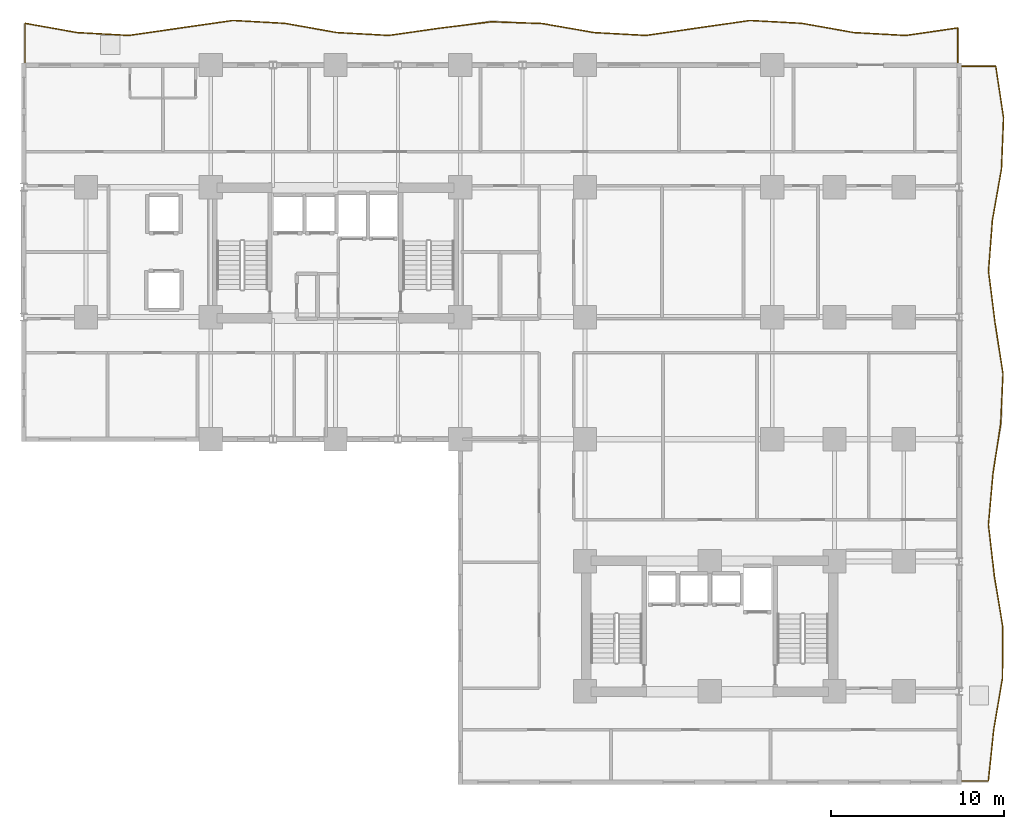
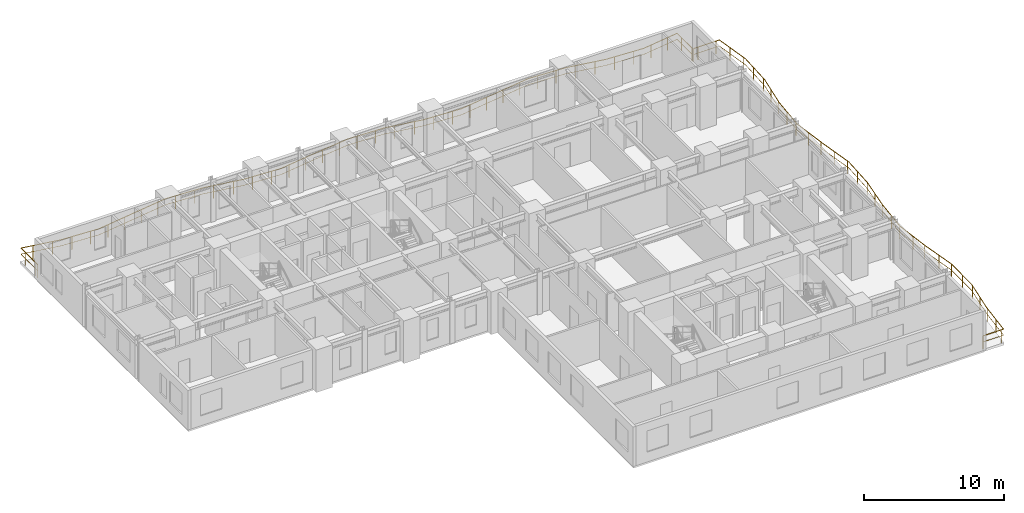
# One storey, part 11 of 11: 2 railings.
"""IFC4 building model written with IfcOpenShell, lengths in metres."""

import ifcopenshell
import ifcopenshell.guid

model = None  # the IFC model being written
_history = None  # IfcOwnerHistory: only IFC2X3 demands one
_inside = {}  # id of a spatial element -> (the spatial element, [elements in it])
_under = {}  # id of a project, library or spatial element -> (it, [spatial elements below it])
_declared = {}  # id of a project -> (the project, [libraries it declares])
_typed = {}  # id of a type object -> (the type object, [elements of that type])
_made_of = {}  # id of a material, layer set ... -> (it, [elements and type objects made of it])


def new_model(schema):
    """Start an empty IFC model of exactly this schema.

    Asked for "IFC4X3", IfcOpenShell would pick the latest addendum, in which some entities
    have other attributes; the version numbers below select the first issue.
    IFC2X3 requires an IfcOwnerHistory on every rooted entity: one is made here for all.
    """
    global model, _history
    if schema == "IFC4X3":
        model = ifcopenshell.file(schema_version=(4, 3, 0, 0))
    else:
        model = ifcopenshell.file(schema=schema)
    _inside.clear()
    _under.clear()
    _declared.clear()
    _typed.clear()
    _made_of.clear()
    _history = None
    if model.schema == "IFC2X3":
        org = make("IfcOrganization", Name="unknown")
        user = make(
            "IfcPersonAndOrganization",
            ThePerson=make("IfcPerson", FamilyName="unknown"),
            TheOrganization=org,
        )
        app = make(
            "IfcApplication",
            ApplicationDeveloper=org,
            Version="unknown",
            ApplicationFullName="unknown",
            ApplicationIdentifier="unknown",
        )
        _history = make(
            "IfcOwnerHistory",
            OwningUser=user,
            OwningApplication=app,
            ChangeAction="ADDED",
            CreationDate=0,
        )
    return model


def make(cls, **values):
    """One entity of the class cls with the attributes given. An attribute that is None is left unset."""
    return model.create_entity(
        cls, **{name: value for name, value in values.items() if value is not None}
    )


def rooted(cls, **values):
    """An entity with a GlobalId (a new one), such as an element, a storey or a relation."""
    return make(cls, GlobalId=ifcopenshell.guid.new(), OwnerHistory=_history, **values)


def si_unit(unit_type, name, prefix=None):
    """IfcSIUnit, for example si_unit("LENGTHUNIT", "METRE", prefix="MILLI")."""
    return make("IfcSIUnit", UnitType=unit_type, Prefix=prefix, Name=name)


def assignment(units):
    """IfcUnitAssignment: the units of a project."""
    return None if units is None else make("IfcUnitAssignment", Units=units)


def point(xyz):
    """IfcCartesianPoint."""
    return None if xyz is None else make("IfcCartesianPoint", Coordinates=xyz)


def direction(xyz):
    """IfcDirection."""
    return None if xyz is None else make("IfcDirection", DirectionRatios=xyz)


def frame(location, z_axis=None, x_axis=None):
    """IfcAxis2Placement3D, a coordinate frame: its origin and axes. An axis left out is left unset."""
    return make(
        "IfcAxis2Placement3D",
        Location=point(location),
        Axis=direction(z_axis),
        RefDirection=direction(x_axis),
    )


def frame_2d(location, x_axis=None):
    """IfcAxis2Placement2D, a coordinate frame in the plane: its origin and x axis."""
    return make(
        "IfcAxis2Placement2D", Location=point(location), RefDirection=direction(x_axis)
    )


def origin():
    """The frame at (0, 0, 0) with its axes left unset."""
    return frame((0.0, 0.0, 0.0))


def origin_2d():
    """The frame at (0, 0) in the plane with its x axis left unset."""
    return frame_2d((0.0, 0.0))


def place(relative_to, where):
    """IfcLocalPlacement: puts the frame where relative to a parent placement (None: the world)."""
    return make(
        "IfcLocalPlacement", PlacementRelTo=relative_to, RelativePlacement=where
    )


def context(
    kind, dimensions, precision=None, world=None, true_north=None, identifier=None
):
    """IfcGeometricRepresentationContext, for example the 3D "Model" context."""
    return make(
        "IfcGeometricRepresentationContext",
        ContextIdentifier=identifier,
        ContextType=kind,
        CoordinateSpaceDimension=dimensions,
        Precision=precision,
        WorldCoordinateSystem=world,
        TrueNorth=true_north,
    )


def subcontext(parent, identifier, kind, view, scale=None):
    """IfcGeometricRepresentationSubContext, for example "Body" below "Model"."""
    return make(
        "IfcGeometricRepresentationSubContext",
        ContextIdentifier=identifier,
        ContextType=kind,
        ParentContext=parent,
        TargetScale=scale,
        TargetView=view,
    )


def project(units=None, contexts=None):
    """IfcProject with its units and contexts."""
    return rooted(
        "IfcProject",
        Name="project",
        RepresentationContexts=contexts,
        UnitsInContext=assignment(units),
    )


def spatial(cls, under=None, at=None, **own):
    """A site, building, storey or space (cls), placed at a placement, below another one or the project."""
    s = rooted(cls, ObjectPlacement=at, **own)
    if under is not None:
        _under.setdefault(under.id(), (under, []))[1].append(s)
    return s


def profile(cls, at=None, kind="AREA", **sizes):
    """A parametric profile (cls). Its sizes go by their IFC names, for example OverallWidth=200.0."""
    return make(cls, ProfileType=kind, Position=at, **sizes)


def rectangle(**sizes):
    """IfcRectangleProfileDef."""
    return profile("IfcRectangleProfileDef", **sizes)


def extrude(swept, where, along, depth):
    """IfcExtrudedAreaSolid: the profile swept, set in the frame where, extruded along a direction by depth."""
    return make(
        "IfcExtrudedAreaSolid",
        SweptArea=swept,
        Position=where,
        ExtrudedDirection=direction(along),
        Depth=depth,
    )


def shape(context_of_items, identifier, shape_type, items):
    """IfcShapeRepresentation: the items that make up one representation, for example the "Body"."""
    return make(
        "IfcShapeRepresentation",
        ContextOfItems=context_of_items,
        RepresentationIdentifier=identifier,
        RepresentationType=shape_type,
        Items=items,
    )


def material(Name=None, Category=None):
    """IfcMaterial."""
    return make("IfcMaterial", Name=Name, Category=Category)


def made_of(thing, what):
    """Note that an element or type object is made of a material, layer set ...; save() writes the relation."""
    if what is not None:
        _made_of.setdefault(what.id(), (what, []))[1].append(thing)
    return thing


def type_object(cls, material=None, **own):
    """A type object (cls), such as IfcWallType, which elements share."""
    return made_of(rooted(cls, **own), material)


def element(
    cls,
    number,
    at=None,
    inside=None,
    cuts=None,
    type_object=None,
    material=None,
    context=None,
    identifier="Body",
    shape_type=None,
    held_by="IfcProductDefinitionShape",
    body=None,
    shapes=None,
    **own,
):
    """One element of the class cls, such as IfcWall. Its Tag is "e" and its number.

    at: its placement. inside: the storey or other place that contains it. cuts: it is an
    opening in that element (IfcRelVoidsElement). A single representation is given by context,
    identifier, shape_type and body (its items); several are given by shapes. held_by: the class
    of the entity that holds the representations. save() writes the other relations.
    """
    e = rooted(cls, Tag="e%d" % number, ObjectPlacement=at, **own)
    if body is not None:
        shapes = [shape(context, identifier, shape_type, body)]
    if shapes is not None:
        e.Representation = make(held_by, Representations=shapes)
    if inside is not None:
        _inside.setdefault(inside.id(), (inside, []))[1].append(e)
    if cuts is not None:
        rooted(
            "IfcRelVoidsElement", RelatingBuildingElement=cuts, RelatedOpeningElement=e
        )
    if type_object is not None:
        _typed.setdefault(type_object.id(), (type_object, []))[1].append(e)
    return made_of(e, material)


def aggregate(whole, parts):
    """IfcRelAggregates: a whole, such as a stair, and the parts it consists of."""
    return rooted("IfcRelAggregates", RelatingObject=whole, RelatedObjects=parts)


def save(model, path):
    """Write the relations noted so far, then the file.

    IfcRelAggregates (storeys below a building ...), IfcRelContainedInSpatialStructure (elements
    in a storey), IfcRelDefinesByType, IfcRelAssociatesMaterial and IfcRelDeclares: one each for
    every whole, place, type object, material and project.
    """
    for whole, parts in _under.values():
        aggregate(whole, parts)
    for where, things in _inside.values():
        rooted(
            "IfcRelContainedInSpatialStructure",
            RelatedElements=things,
            RelatingStructure=where,
        )
    for kind, things in _typed.values():
        rooted("IfcRelDefinesByType", RelatedObjects=things, RelatingType=kind)
    for what, things in _made_of.values():
        rooted("IfcRelAssociatesMaterial", RelatedObjects=things, RelatingMaterial=what)
    for by, libraries in _declared.values():
        rooted("IfcRelDeclares", RelatingContext=by, RelatedDefinitions=libraries)
    model.write(path)


model = new_model("IFC4")

# Units and contexts
model_context = context("Model", 3, precision=1e-05, world=origin(), true_north=direction((0.0, 1.0)))
body_context = subcontext(model_context, "Body", "Model", "MODEL_VIEW")
ifc_project = project(units=[si_unit("LENGTHUNIT", "METRE"), si_unit("AREAUNIT", "SQUARE_METRE"), si_unit("VOLUMEUNIT", "CUBIC_METRE"), si_unit("PLANEANGLEUNIT", "RADIAN"), si_unit("MASSUNIT", "GRAM", prefix="KILO")], contexts=[model_context])

# Site, building, storey
site_placement = place(None, origin())
site = spatial("IfcSite", under=ifc_project, at=site_placement, CompositionType="ELEMENT")
building_placement = place(site_placement, origin())
building = spatial("IfcBuilding", under=site, at=building_placement, Name="Kaliganga Portal Commons", CompositionType="ELEMENT")
storey_placement = place(building_placement, frame((0.0, 0.0, 40.10009765625)))
storey = spatial("IfcBuildingStorey", under=building, at=storey_placement, Name="L09", CompositionType="ELEMENT", Elevation=40.10009765625)

# Railings
ifc_material = material(Name="Laminated Safety Glass and Stainless Steel 316", Category="steel")
railing_type = type_object("IfcRailingType", Name="RLG-BAL-1150", PredefinedType="BALUSTRADE", material=ifc_material)
railing_1_placement = place(storey_placement, frame((57.520263671875, 43.205810546875, 0.0)))
element("IfcRailing", 1, at=railing_1_placement, inside=storey, type_object=railing_type, Name="Balcony Guardrail L09 balc_north", PredefinedType="BALUSTRADE", context=body_context, shape_type="SweptSolid", body=[
    extrude(rectangle(XDim=0.048095703125, YDim=0.048095703125, at=origin_2d()), frame((0.0, 0.0, 1.1259765625), z_axis=(-0.000114259597, 0.999999993472, 0.0), x_axis=(-0.999999993472, -0.000114259597, 0.0)), (0.0, 0.0, 1.0), 2.13671875),
    extrude(rectangle(XDim=0.028076171875, YDim=0.028076171875, at=origin_2d()), frame((0.0, 0.0, 0.597900390625), z_axis=(-0.000114259597, 0.999999993472, 0.0), x_axis=(-0.999999993472, -0.000114259597, 0.0)), (0.0, 0.0, 1.0), 2.13671875),
    extrude(rectangle(XDim=0.048095703125, YDim=0.048095703125, at=origin_2d()), frame((-0.000244140625, 2.13671875, 1.1259765625), z_axis=(-0.989750378619, -0.142808221134, 0.0), x_axis=(0.142808221134, -0.989750378619, 0.0)), (0.0, 0.0, 1.0), 3.031005859375),
    extrude(rectangle(XDim=0.028076171875, YDim=0.028076171875, at=origin_2d()), frame((-0.000244140625, 2.13671875, 0.597900390625), z_axis=(-0.989750378619, -0.142808221134, 0.0), x_axis=(0.142808221134, -0.989750378619, 0.0)), (0.0, 0.0, 1.0), 3.031005859375),
    extrude(rectangle(XDim=0.048095703125, YDim=0.048095703125, at=origin_2d()), frame((-3.000244140625, 1.703857421875, 1.1259765625), z_axis=(-0.998485749874, 0.055010974338, 0.0), x_axis=(-0.055010974338, -0.998485749874, 0.0)), (0.0, 0.0, 1.0), 3.004638671875),
    extrude(rectangle(XDim=0.028076171875, YDim=0.028076171875, at=origin_2d()), frame((-3.000244140625, 1.703857421875, 0.597900390625), z_axis=(-0.998485749874, 0.055010974338, 0.0), x_axis=(-0.055010974338, -0.998485749874, 0.0)), (0.0, 0.0, 1.0), 3.004638671875),
    extrude(rectangle(XDim=0.048095703125, YDim=0.048095703125, at=origin_2d()), frame((-6.000244140625, 1.869140625, 1.1259765625), z_axis=(-0.984486939112, 0.175457877332, 0.0), x_axis=(-0.175457877332, -0.984486939112, 0.0)), (0.0, 0.0, 1.0), 3.04736328125),
    extrude(rectangle(XDim=0.028076171875, YDim=0.028076171875, at=origin_2d()), frame((-6.000244140625, 1.869140625, 0.597900390625), z_axis=(-0.984486939112, 0.175457877332, 0.0), x_axis=(-0.175457877332, -0.984486939112, 0.0)), (0.0, 0.0, 1.0), 3.04736328125),
    extrude(rectangle(XDim=0.048095703125, YDim=0.048095703125, at=origin_2d()), frame((-9.000244140625, 2.40380859375, 1.1259765625), z_axis=(-0.998499110246, 0.054767936223, 0.0), x_axis=(-0.054767936223, -0.998499110246, 0.0)), (0.0, 0.0, 1.0), 3.00439453125),
    extrude(rectangle(XDim=0.028076171875, YDim=0.028076171875, at=origin_2d()), frame((-9.000244140625, 2.40380859375, 0.597900390625), z_axis=(-0.998499110246, 0.054767936223, 0.0), x_axis=(-0.054767936223, -0.998499110246, 0.0)), (0.0, 0.0, 1.0), 3.00439453125),
    extrude(rectangle(XDim=0.048095703125, YDim=0.048095703125, at=origin_2d()), frame((-12.000244140625, 2.568359375, 1.1259765625), z_axis=(-0.989773136054, -0.14265040885, 0.0), x_axis=(0.14265040885, -0.989773136054, 0.0)), (0.0, 0.0, 1.0), 3.031005859375),
    extrude(rectangle(XDim=0.028076171875, YDim=0.028076171875, at=origin_2d()), frame((-12.000244140625, 2.568359375, 0.597900390625), z_axis=(-0.989773136054, -0.14265040885, 0.0), x_axis=(0.14265040885, -0.989773136054, 0.0)), (0.0, 0.0, 1.0), 3.031005859375),
    extrude(rectangle(XDim=0.048095703125, YDim=0.048095703125, at=origin_2d()), frame((-15.000244140625, 2.135986328125, 1.1259765625), z_axis=(-0.989841263629, -0.142176906763, 0.0), x_axis=(0.142176906763, -0.989841263629, 0.0)), (0.0, 0.0, 1.0), 3.03076171875),
    extrude(rectangle(XDim=0.028076171875, YDim=0.028076171875, at=origin_2d()), frame((-15.000244140625, 2.135986328125, 0.597900390625), z_axis=(-0.989841263629, -0.142176906763, 0.0), x_axis=(0.142176906763, -0.989841263629, 0.0)), (0.0, 0.0, 1.0), 3.03076171875),
    extrude(rectangle(XDim=0.048095703125, YDim=0.048095703125, at=origin_2d()), frame((-18.000244140625, 1.705078125, 1.1259765625), z_axis=(-0.998499110246, 0.054767936223, 0.0), x_axis=(-0.054767936223, -0.998499110246, 0.0)), (0.0, 0.0, 1.0), 3.00439453125),
    extrude(rectangle(XDim=0.028076171875, YDim=0.028076171875, at=origin_2d()), frame((-18.000244140625, 1.705078125, 0.597900390625), z_axis=(-0.998499110246, 0.054767936223, 0.0), x_axis=(-0.054767936223, -0.998499110246, 0.0)), (0.0, 0.0, 1.0), 3.00439453125),
    extrude(rectangle(XDim=0.048095703125, YDim=0.048095703125, at=origin_2d()), frame((-21.000244140625, 1.86962890625, 1.1259765625), z_axis=(-0.985121564342, 0.171858963887, 0.0), x_axis=(-0.171858963887, -0.985121564342, 0.0)), (0.0, 0.0, 1.0), 3.04443359375),
    extrude(rectangle(XDim=0.028076171875, YDim=0.028076171875, at=origin_2d()), frame((-21.000244140625, 1.86962890625, 0.597900390625), z_axis=(-0.985121564342, 0.171858963887, 0.0), x_axis=(-0.171858963887, -0.985121564342, 0.0)), (0.0, 0.0, 1.0), 3.04443359375),
    extrude(rectangle(XDim=0.048095703125, YDim=0.048095703125, at=origin_2d()), frame((-23.999267578125, 2.392822265625, 1.1259765625), z_axis=(-0.999427528085, 0.0338321756, 0.0), x_axis=(-0.0338321756, -0.999427528085, 0.0)), (0.0, 0.0, 1.0), 2.922607421875),
    extrude(rectangle(XDim=0.028076171875, YDim=0.028076171875, at=origin_2d()), frame((-23.999267578125, 2.392822265625, 0.597900390625), z_axis=(-0.999427528085, 0.0338321756, 0.0), x_axis=(-0.0338321756, -0.999427528085, 0.0)), (0.0, 0.0, 1.0), 2.922607421875),
    extrude(rectangle(XDim=0.048095703125, YDim=0.048095703125, at=origin_2d()), frame((-26.920166015625, 2.49169921875, 1.1259765625), z_axis=(-0.992483283696, -0.12238027449, 0.0), x_axis=(0.12238027449, -0.992483283696, 0.0)), (0.0, 0.0, 1.0), 2.942626953125),
    extrude(rectangle(XDim=0.028076171875, YDim=0.028076171875, at=origin_2d()), frame((-26.920166015625, 2.49169921875, 0.597900390625), z_axis=(-0.992483283696, -0.12238027449, 0.0), x_axis=(0.12238027449, -0.992483283696, 0.0)), (0.0, 0.0, 1.0), 2.942626953125),
    extrude(rectangle(XDim=0.048095703125, YDim=0.048095703125, at=origin_2d()), frame((-29.840576171875, 2.131591796875, 1.1259765625), z_axis=(-0.990076407613, -0.140530093178, 0.0), x_axis=(0.140530093178, -0.990076407613, 0.0)), (0.0, 0.0, 1.0), 3.02978515625),
    extrude(rectangle(XDim=0.028076171875, YDim=0.028076171875, at=origin_2d()), frame((-29.840576171875, 2.131591796875, 0.597900390625), z_axis=(-0.990076407613, -0.140530093178, 0.0), x_axis=(0.140530093178, -0.990076407613, 0.0)), (0.0, 0.0, 1.0), 3.02978515625),
    extrude(rectangle(XDim=0.048095703125, YDim=0.048095703125, at=origin_2d()), frame((-32.84033203125, 1.705810546875, 1.1259765625), z_axis=(-0.998516832602, 0.054443870267, 0.0), x_axis=(-0.054443870267, -0.998516832602, 0.0)), (0.0, 0.0, 1.0), 3.00439453125),
    extrude(rectangle(XDim=0.028076171875, YDim=0.028076171875, at=origin_2d()), frame((-32.84033203125, 1.705810546875, 0.597900390625), z_axis=(-0.998516832602, 0.054443870267, 0.0), x_axis=(-0.054443870267, -0.998516832602, 0.0)), (0.0, 0.0, 1.0), 3.00439453125),
    extrude(rectangle(XDim=0.048095703125, YDim=0.048095703125, at=origin_2d()), frame((-35.84033203125, 1.869384765625, 1.1259765625), z_axis=(-0.984569871158, 0.174991910694, 0.0), x_axis=(-0.174991910694, -0.984569871158, 0.0)), (0.0, 0.0, 1.0), 3.047119140625),
    extrude(rectangle(XDim=0.028076171875, YDim=0.028076171875, at=origin_2d()), frame((-35.84033203125, 1.869384765625, 0.597900390625), z_axis=(-0.984569871158, 0.174991910694, 0.0), x_axis=(-0.174991910694, -0.984569871158, 0.0)), (0.0, 0.0, 1.0), 3.047119140625),
    extrude(rectangle(XDim=0.048095703125, YDim=0.048095703125, at=origin_2d()), frame((-38.84033203125, 2.402587890625, 1.1259765625), z_axis=(-0.998476810296, 0.055172994319, 0.0), x_axis=(-0.055172994319, -0.998476810296, 0.0)), (0.0, 0.0, 1.0), 3.004638671875),
    extrude(rectangle(XDim=0.028076171875, YDim=0.028076171875, at=origin_2d()), frame((-38.84033203125, 2.402587890625, 0.597900390625), z_axis=(-0.998476810296, 0.055172994319, 0.0), x_axis=(-0.055172994319, -0.998476810296, 0.0)), (0.0, 0.0, 1.0), 3.004638671875),
    extrude(rectangle(XDim=0.048095703125, YDim=0.048095703125, at=origin_2d()), frame((-41.84033203125, 2.568359375, 1.1259765625), z_axis=(-0.989795869371, -0.142492585687, 0.0), x_axis=(0.142492585687, -0.989795869371, 0.0)), (0.0, 0.0, 1.0), 3.031005859375),
    extrude(rectangle(XDim=0.028076171875, YDim=0.028076171875, at=origin_2d()), frame((-41.84033203125, 2.568359375, 0.597900390625), z_axis=(-0.989795869371, -0.142492585687, 0.0), x_axis=(0.142492585687, -0.989795869371, 0.0)), (0.0, 0.0, 1.0), 3.031005859375),
    extrude(rectangle(XDim=0.048095703125, YDim=0.048095703125, at=origin_2d()), frame((-44.84033203125, 2.136474609375, 1.1259765625), z_axis=(-0.989761760351, -0.142729316353, 0.0), x_axis=(0.142729316353, -0.989761760351, 0.0)), (0.0, 0.0, 1.0), 3.031005859375),
    extrude(rectangle(XDim=0.028076171875, YDim=0.028076171875, at=origin_2d()), frame((-44.84033203125, 2.136474609375, 0.597900390625), z_axis=(-0.989761760351, -0.142729316353, 0.0), x_axis=(0.142729316353, -0.989761760351, 0.0)), (0.0, 0.0, 1.0), 3.031005859375),
    extrude(rectangle(XDim=0.048095703125, YDim=0.048095703125, at=origin_2d()), frame((-47.84033203125, 1.703857421875, 1.1259765625), z_axis=(-0.998485749874, 0.055010974338, 0.0), x_axis=(-0.055010974338, -0.998485749874, 0.0)), (0.0, 0.0, 1.0), 3.004638671875),
    extrude(rectangle(XDim=0.028076171875, YDim=0.028076171875, at=origin_2d()), frame((-47.84033203125, 1.703857421875, 0.597900390625), z_axis=(-0.998485749874, 0.055010974338, 0.0), x_axis=(-0.055010974338, -0.998485749874, 0.0)), (0.0, 0.0, 1.0), 3.004638671875),
    extrude(rectangle(XDim=0.048095703125, YDim=0.048095703125, at=origin_2d()), frame((-50.84033203125, 1.869140625, 1.1259765625), z_axis=(-0.984459249203, 0.175613173361, 0.0), x_axis=(-0.175613173361, -0.984459249203, 0.0)), (0.0, 0.0, 1.0), 3.04736328125),
    extrude(rectangle(XDim=0.028076171875, YDim=0.028076171875, at=origin_2d()), frame((-50.84033203125, 1.869140625, 0.597900390625), z_axis=(-0.984459249203, 0.175613173361, 0.0), x_axis=(-0.175613173361, -0.984459249203, 0.0)), (0.0, 0.0, 1.0), 3.04736328125),
    extrude(rectangle(XDim=0.048095703125, YDim=0.048095703125, at=origin_2d()), frame((-53.84033203125, 2.404296875, 1.1259765625), z_axis=(-0.00010154346, -0.999999994844, 0.0), x_axis=(0.999999994844, -0.00010154346, 0.0)), (0.0, 0.0, 1.0), 2.404296875),
    extrude(rectangle(XDim=0.028076171875, YDim=0.028076171875, at=origin_2d()), frame((-53.84033203125, 2.404296875, 0.597900390625), z_axis=(-0.00010154346, -0.999999994844, 0.0), x_axis=(0.999999994844, -0.00010154346, 0.0)), (0.0, 0.0, 1.0), 2.404296875),
    extrude(rectangle(XDim=0.0419921875, YDim=0.0419921875, at=origin_2d()), origin(), (0.0, 0.0, 1.0), 1.101806640625),
    extrude(rectangle(XDim=0.0419921875, YDim=0.0419921875, at=origin_2d()), frame((-0.000244140625, 1.5, 0.0)), (0.0, 0.0, 1.0), 1.101806640625),
    extrude(rectangle(XDim=0.0419921875, YDim=0.0419921875, at=origin_2d()), frame((-0.854736328125, 2.013427734375, 0.0)), (0.0, 0.0, 1.0), 1.101806640625),
    extrude(rectangle(XDim=0.0419921875, YDim=0.0419921875, at=origin_2d()), frame((-2.33935546875, 1.79931640625, 0.0)), (0.0, 0.0, 1.0), 1.101806640625),
    extrude(rectangle(XDim=0.0419921875, YDim=0.0419921875, at=origin_2d()), frame((-3.831298828125, 1.749755859375, 0.0)), (0.0, 0.0, 1.0), 1.101806640625),
    extrude(rectangle(XDim=0.0419921875, YDim=0.0419921875, at=origin_2d()), frame((-5.328857421875, 1.832275390625, 0.0)), (0.0, 0.0, 1.0), 1.101806640625),
    extrude(rectangle(XDim=0.0419921875, YDim=0.0419921875, at=origin_2d()), frame((-6.815185546875, 2.014404296875, 0.0)), (0.0, 0.0, 1.0), 1.101806640625),
    extrude(rectangle(XDim=0.0419921875, YDim=0.0419921875, at=origin_2d()), frame((-8.291748046875, 2.277587890625, 0.0)), (0.0, 0.0, 1.0), 1.101806640625),
    extrude(rectangle(XDim=0.0419921875, YDim=0.0419921875, at=origin_2d()), frame((-9.779541015625, 2.446533203125, 0.0)), (0.0, 0.0, 1.0), 1.101806640625),
    extrude(rectangle(XDim=0.0419921875, YDim=0.0419921875, at=origin_2d()), frame((-11.277099609375, 2.52880859375, 0.0)), (0.0, 0.0, 1.0), 1.101806640625),
    extrude(rectangle(XDim=0.0419921875, YDim=0.0419921875, at=origin_2d()), frame((-12.768310546875, 2.457763671875, 0.0)), (0.0, 0.0, 1.0), 1.101806640625),
    extrude(rectangle(XDim=0.0419921875, YDim=0.0419921875, at=origin_2d()), frame((-14.2529296875, 2.24365234375, 0.0)), (0.0, 0.0, 1.0), 1.101806640625),
    extrude(rectangle(XDim=0.0419921875, YDim=0.0419921875, at=origin_2d()), frame((-15.737548828125, 2.030029296875, 0.0)), (0.0, 0.0, 1.0), 1.101806640625),
    extrude(rectangle(XDim=0.0419921875, YDim=0.0419921875, at=origin_2d()), frame((-17.222412109375, 1.81689453125, 0.0)), (0.0, 0.0, 1.0), 1.101806640625),
    extrude(rectangle(XDim=0.0419921875, YDim=0.0419921875, at=origin_2d()), frame((-18.71337890625, 1.744140625, 0.0)), (0.0, 0.0, 1.0), 1.101806640625),
    extrude(rectangle(XDim=0.0419921875, YDim=0.0419921875, at=origin_2d()), frame((-20.2109375, 1.826416015625, 0.0)), (0.0, 0.0, 1.0), 1.101806640625),
    extrude(rectangle(XDim=0.0419921875, YDim=0.0419921875, at=origin_2d()), frame((-21.69921875, 1.99169921875, 0.0)), (0.0, 0.0, 1.0), 1.101806640625),
    extrude(rectangle(XDim=0.0419921875, YDim=0.0419921875, at=origin_2d()), frame((-23.177001953125, 2.249267578125, 0.0)), (0.0, 0.0, 1.0), 1.101806640625),
    extrude(rectangle(XDim=0.0419921875, YDim=0.0419921875, at=origin_2d()), frame((-24.6640625, 2.415283203125, 0.0)), (0.0, 0.0, 1.0), 1.101806640625),
    extrude(rectangle(XDim=0.0419921875, YDim=0.0419921875, at=origin_2d()), frame((-26.163330078125, 2.466064453125, 0.0)), (0.0, 0.0, 1.0), 1.101806640625),
    extrude(rectangle(XDim=0.0419921875, YDim=0.0419921875, at=origin_2d()), frame((-27.6572265625, 2.40087890625, 0.0)), (0.0, 0.0, 1.0), 1.101806640625),
    extrude(rectangle(XDim=0.0419921875, YDim=0.0419921875, at=origin_2d()), frame((-29.14599609375, 2.21728515625, 0.0)), (0.0, 0.0, 1.0), 1.101806640625),
    extrude(rectangle(XDim=0.0419921875, YDim=0.0419921875, at=origin_2d()), frame((-30.6328125, 2.01904296875, 0.0)), (0.0, 0.0, 1.0), 1.101806640625),
    extrude(rectangle(XDim=0.0419921875, YDim=0.0419921875, at=origin_2d()), frame((-32.117919921875, 1.808349609375, 0.0)), (0.0, 0.0, 1.0), 1.101806640625),
    extrude(rectangle(XDim=0.0419921875, YDim=0.0419921875, at=origin_2d()), frame((-33.609619140625, 1.747802734375, 0.0)), (0.0, 0.0, 1.0), 1.101806640625),
    extrude(rectangle(XDim=0.0419921875, YDim=0.0419921875, at=origin_2d()), frame((-35.107421875, 1.829345703125, 0.0)), (0.0, 0.0, 1.0), 1.101806640625),
    extrude(rectangle(XDim=0.0419921875, YDim=0.0419921875, at=origin_2d()), frame((-36.594482421875, 2.00341796875, 0.0)), (0.0, 0.0, 1.0), 1.101806640625),
    extrude(rectangle(XDim=0.0419921875, YDim=0.0419921875, at=origin_2d()), frame((-38.0712890625, 2.265869140625, 0.0)), (0.0, 0.0, 1.0), 1.101806640625),
    extrude(rectangle(XDim=0.0419921875, YDim=0.0419921875, at=origin_2d()), frame((-39.55810546875, 2.442138671875, 0.0)), (0.0, 0.0, 1.0), 1.101806640625),
    extrude(rectangle(XDim=0.0419921875, YDim=0.0419921875, at=origin_2d()), frame((-41.055908203125, 2.52490234375, 0.0)), (0.0, 0.0, 1.0), 1.101806640625),
    extrude(rectangle(XDim=0.0419921875, YDim=0.0419921875, at=origin_2d()), frame((-42.54736328125, 2.466552734375, 0.0)), (0.0, 0.0, 1.0), 1.101806640625),
    extrude(rectangle(XDim=0.0419921875, YDim=0.0419921875, at=origin_2d()), frame((-44.031982421875, 2.2529296875, 0.0)), (0.0, 0.0, 1.0), 1.101806640625),
    extrude(rectangle(XDim=0.0419921875, YDim=0.0419921875, at=origin_2d()), frame((-45.5166015625, 2.038818359375, 0.0)), (0.0, 0.0, 1.0), 1.101806640625),
    extrude(rectangle(XDim=0.0419921875, YDim=0.0419921875, at=origin_2d()), frame((-47.00146484375, 1.824951171875, 0.0)), (0.0, 0.0, 1.0), 1.101806640625),
    extrude(rectangle(XDim=0.0419921875, YDim=0.0419921875, at=origin_2d()), frame((-48.49169921875, 1.73974609375, 0.0)), (0.0, 0.0, 1.0), 1.101806640625),
    extrude(rectangle(XDim=0.0419921875, YDim=0.0419921875, at=origin_2d()), frame((-49.989501953125, 1.822265625, 0.0)), (0.0, 0.0, 1.0), 1.101806640625),
    extrude(rectangle(XDim=0.0419921875, YDim=0.0419921875, at=origin_2d()), frame((-51.47802734375, 1.98291015625, 0.0)), (0.0, 0.0, 1.0), 1.101806640625),
    extrude(rectangle(XDim=0.0419921875, YDim=0.0419921875, at=origin_2d()), frame((-52.954833984375, 2.246337890625, 0.0)), (0.0, 0.0, 1.0), 1.101806640625),
    extrude(rectangle(XDim=0.0419921875, YDim=0.0419921875, at=origin_2d()), frame((-53.84033203125, 1.803955078125, 0.0)), (0.0, 0.0, 1.0), 1.101806640625),
    extrude(rectangle(XDim=0.0419921875, YDim=0.0419921875, at=origin_2d()), frame((-53.840576171875, 0.303955078125, 0.0)), (0.0, 0.0, 1.0), 1.101806640625),
    extrude(rectangle(XDim=0.0419921875, YDim=0.0419921875, at=origin_2d()), frame((-53.840576171875, 0.0, 0.0)), (0.0, 0.0, 1.0), 1.101806640625),
])
railing_2_placement = place(storey_placement, frame((57.607421875, 1.879638671875, 0.0)))
element("IfcRailing", 2, at=railing_2_placement, inside=storey, type_object=railing_type, Name="Balcony Guardrail L09 balc_east", PredefinedType="BALUSTRADE", context=body_context, shape_type="SweptSolid", body=[
    extrude(rectangle(XDim=0.048095703125, YDim=0.048095703125, at=origin_2d()), frame((0.0, 0.0, 1.1259765625), z_axis=(0.99999998944, 0.000145327712, 0.0), x_axis=(-0.000145327712, 0.99999998944, 0.0)), (0.0, 0.0, 1.0), 1.679931640625),
    extrude(rectangle(XDim=0.028076171875, YDim=0.028076171875, at=origin_2d()), frame((0.0, 0.0, 0.597900390625), z_axis=(0.99999998944, 0.000145327712, 0.0), x_axis=(-0.000145327712, 0.99999998944, 0.0)), (0.0, 0.0, 1.0), 1.679931640625),
    extrude(rectangle(XDim=0.048095703125, YDim=0.048095703125, at=origin_2d()), frame((1.679931640625, 0.000244140625, 1.1259765625), z_axis=(0.103137283584, 0.994667130619, 0.0), x_axis=(-0.994667130619, 0.103137283584, 0.0)), (0.0, 0.0, 1.0), 2.97314453125),
    extrude(rectangle(XDim=0.028076171875, YDim=0.028076171875, at=origin_2d()), frame((1.679931640625, 0.000244140625, 0.597900390625), z_axis=(0.103137283584, 0.994667130619, 0.0), x_axis=(-0.994667130619, 0.103137283584, 0.0)), (0.0, 0.0, 1.0), 2.97314453125),
    extrude(rectangle(XDim=0.048095703125, YDim=0.048095703125, at=origin_2d()), frame((1.986572265625, 2.95751953125, 1.1259765625), z_axis=(0.168541402358, 0.985694575257, 0.0), x_axis=(-0.985694575257, 0.168541402358, 0.0)), (0.0, 0.0, 1.0), 3.0),
    extrude(rectangle(XDim=0.028076171875, YDim=0.028076171875, at=origin_2d()), frame((1.986572265625, 2.95751953125, 0.597900390625), z_axis=(0.168541402358, 0.985694575257, 0.0), x_axis=(-0.985694575257, 0.168541402358, 0.0)), (0.0, 0.0, 1.0), 3.0),
    extrude(rectangle(XDim=0.048095703125, YDim=0.048095703125, at=origin_2d()), frame((2.4921875, 5.91455078125, 1.1259765625), z_axis=(0.0076781092, 0.999970522885, 0.0), x_axis=(-0.999970522885, 0.0076781092, 0.0)), (0.0, 0.0, 1.0), 2.95703125),
    extrude(rectangle(XDim=0.028076171875, YDim=0.028076171875, at=origin_2d()), frame((2.4921875, 5.91455078125, 0.597900390625), z_axis=(0.0076781092, 0.999970522885, 0.0), x_axis=(-0.999970522885, 0.0076781092, 0.0)), (0.0, 0.0, 1.0), 2.95703125),
    extrude(rectangle(XDim=0.048095703125, YDim=0.048095703125, at=origin_2d()), frame((2.514892578125, 8.87158203125, 1.1259765625), z_axis=(-0.163461188749, 0.986549765482, 0.0), x_axis=(-0.986549765482, -0.163461188749, 0.0)), (0.0, 0.0, 1.0), 2.99755859375),
    extrude(rectangle(XDim=0.028076171875, YDim=0.028076171875, at=origin_2d()), frame((2.514892578125, 8.87158203125, 0.597900390625), z_axis=(-0.163461188749, 0.986549765482, 0.0), x_axis=(-0.986549765482, -0.163461188749, 0.0)), (0.0, 0.0, 1.0), 2.99755859375),
    extrude(rectangle(XDim=0.048095703125, YDim=0.048095703125, at=origin_2d()), frame((2.02490234375, 11.828857421875, 1.1259765625), z_axis=(-0.114652123558, 0.993405702905, 0.0), x_axis=(-0.993405702905, -0.114652123558, 0.0)), (0.0, 0.0, 1.0), 2.976806640625),
    extrude(rectangle(XDim=0.028076171875, YDim=0.028076171875, at=origin_2d()), frame((2.02490234375, 11.828857421875, 0.597900390625), z_axis=(-0.114652123558, 0.993405702905, 0.0), x_axis=(-0.993405702905, -0.114652123558, 0.0)), (0.0, 0.0, 1.0), 2.976806640625),
    extrude(rectangle(XDim=0.048095703125, YDim=0.048095703125, at=origin_2d()), frame((1.68359375, 14.7861328125, 1.1259765625), z_axis=(0.088815385838, 0.996048104882, 0.0), x_axis=(-0.996048104882, 0.088815385838, 0.0)), (0.0, 0.0, 1.0), 2.96875),
    extrude(rectangle(XDim=0.028076171875, YDim=0.028076171875, at=origin_2d()), frame((1.68359375, 14.7861328125, 0.597900390625), z_axis=(0.088815385838, 0.996048104882, 0.0), x_axis=(-0.996048104882, 0.088815385838, 0.0)), (0.0, 0.0, 1.0), 2.96875),
    extrude(rectangle(XDim=0.048095703125, YDim=0.048095703125, at=origin_2d()), frame((1.947265625, 17.7431640625, 1.1259765625), z_axis=(0.151641202733, 0.988435605203, 0.0), x_axis=(-0.988435605203, 0.151641202733, 0.0)), (0.0, 0.0, 1.0), 2.910888671875),
    extrude(rectangle(XDim=0.028076171875, YDim=0.028076171875, at=origin_2d()), frame((1.947265625, 17.7431640625, 0.597900390625), z_axis=(0.151641202733, 0.988435605203, 0.0), x_axis=(-0.988435605203, 0.151641202733, 0.0)), (0.0, 0.0, 1.0), 2.910888671875),
    extrude(rectangle(XDim=0.048095703125, YDim=0.048095703125, at=origin_2d()), frame((2.388671875, 20.620361328125, 1.1259765625), z_axis=(0.046506612295, 0.998917982125, 0.0), x_axis=(-0.998917982125, 0.046506612295, 0.0)), (0.0, 0.0, 1.0), 2.882080078125),
    extrude(rectangle(XDim=0.028076171875, YDim=0.028076171875, at=origin_2d()), frame((2.388671875, 20.620361328125, 0.597900390625), z_axis=(0.046506612295, 0.998917982125, 0.0), x_axis=(-0.998917982125, 0.046506612295, 0.0)), (0.0, 0.0, 1.0), 2.882080078125),
    extrude(rectangle(XDim=0.048095703125, YDim=0.048095703125, at=origin_2d()), frame((2.522705078125, 23.499267578125, 1.1259765625), z_axis=(-0.153388181344, 0.988166011267, 0.0), x_axis=(-0.988166011267, -0.153388181344, 0.0)), (0.0, 0.0, 1.0), 2.99072265625),
    extrude(rectangle(XDim=0.028076171875, YDim=0.028076171875, at=origin_2d()), frame((2.522705078125, 23.499267578125, 0.597900390625), z_axis=(-0.153388181344, 0.988166011267, 0.0), x_axis=(-0.988166011267, -0.153388181344, 0.0)), (0.0, 0.0, 1.0), 2.99072265625),
    extrude(rectangle(XDim=0.048095703125, YDim=0.048095703125, at=origin_2d()), frame((2.06396484375, 26.45458984375, 1.1259765625), z_axis=(-0.126040341348, 0.992025116795, 0.0), x_axis=(-0.992025116795, -0.126040341348, 0.0)), (0.0, 0.0, 1.0), 2.98095703125),
    extrude(rectangle(XDim=0.028076171875, YDim=0.028076171875, at=origin_2d()), frame((2.06396484375, 26.45458984375, 0.597900390625), z_axis=(-0.126040341348, 0.992025116795, 0.0), x_axis=(-0.992025116795, -0.126040341348, 0.0)), (0.0, 0.0, 1.0), 2.98095703125),
    extrude(rectangle(XDim=0.048095703125, YDim=0.048095703125, at=origin_2d()), frame((1.688232421875, 29.411865234375, 1.1259765625), z_axis=(0.075412123975, 0.997152451513, 0.0), x_axis=(-0.997152451513, 0.075412123975, 0.0)), (0.0, 0.0, 1.0), 2.965576171875),
    extrude(rectangle(XDim=0.028076171875, YDim=0.028076171875, at=origin_2d()), frame((1.688232421875, 29.411865234375, 0.597900390625), z_axis=(0.075412123975, 0.997152451513, 0.0), x_axis=(-0.997152451513, 0.075412123975, 0.0)), (0.0, 0.0, 1.0), 2.965576171875),
    extrude(rectangle(XDim=0.048095703125, YDim=0.048095703125, at=origin_2d()), frame((1.911865234375, 32.368896484375, 1.1259765625), z_axis=(0.17460606148, 0.984638371837, 0.0), x_axis=(-0.984638371837, 0.17460606148, 0.0)), (0.0, 0.0, 1.0), 3.00341796875),
    extrude(rectangle(XDim=0.028076171875, YDim=0.028076171875, at=origin_2d()), frame((1.911865234375, 32.368896484375, 0.597900390625), z_axis=(0.17460606148, 0.984638371837, 0.0), x_axis=(-0.984638371837, 0.17460606148, 0.0)), (0.0, 0.0, 1.0), 3.00341796875),
    extrude(rectangle(XDim=0.048095703125, YDim=0.048095703125, at=origin_2d()), frame((2.436279296875, 35.326171875, 1.1259765625), z_axis=(0.039925211978, 0.999202670857, 0.0), x_axis=(-0.999202670857, 0.039925211978, 0.0)), (0.0, 0.0, 1.0), 2.959716796875),
    extrude(rectangle(XDim=0.028076171875, YDim=0.028076171875, at=origin_2d()), frame((2.436279296875, 35.326171875, 0.597900390625), z_axis=(0.039925211978, 0.999202670857, 0.0), x_axis=(-0.999202670857, 0.039925211978, 0.0)), (0.0, 0.0, 1.0), 2.959716796875),
    extrude(rectangle(XDim=0.048095703125, YDim=0.048095703125, at=origin_2d()), frame((2.554443359375, 38.283447265625, 1.1259765625), z_axis=(-0.149793288617, 0.98871733609, 0.0), x_axis=(-0.98871733609, -0.149793288617, 0.0)), (0.0, 0.0, 1.0), 2.99072265625),
    extrude(rectangle(XDim=0.028076171875, YDim=0.028076171875, at=origin_2d()), frame((2.554443359375, 38.283447265625, 0.597900390625), z_axis=(-0.149793288617, 0.98871733609, 0.0), x_axis=(-0.98871733609, -0.149793288617, 0.0)), (0.0, 0.0, 1.0), 2.99072265625),
    extrude(rectangle(XDim=0.048095703125, YDim=0.048095703125, at=origin_2d()), frame((2.1064453125, 41.240478515625, 1.1259765625), z_axis=(-0.999999993283, 0.000115901715, 0.0), x_axis=(-0.000115901715, -0.999999993283, 0.0)), (0.0, 0.0, 1.0), 2.1064453125),
    extrude(rectangle(XDim=0.028076171875, YDim=0.028076171875, at=origin_2d()), frame((2.1064453125, 41.240478515625, 0.597900390625), z_axis=(-0.999999993283, 0.000115901715, 0.0), x_axis=(-0.000115901715, -0.999999993283, 0.0)), (0.0, 0.0, 1.0), 2.1064453125),
    extrude(rectangle(XDim=0.0419921875, YDim=0.0419921875, at=origin_2d()), origin(), (0.0, 0.0, 1.0), 1.101806640625),
    extrude(rectangle(XDim=0.0419921875, YDim=0.0419921875, at=origin_2d()), frame((1.5, 0.000244140625, 0.0)), (0.0, 0.0, 1.0), 1.101806640625),
    extrude(rectangle(XDim=0.0419921875, YDim=0.0419921875, at=origin_2d()), frame((1.816162109375, 1.313232421875, 0.0)), (0.0, 0.0, 1.0), 1.101806640625),
    extrude(rectangle(XDim=0.0419921875, YDim=0.0419921875, at=origin_2d()), frame((1.970703125, 2.80517578125, 0.0)), (0.0, 0.0, 1.0), 1.101806640625),
    extrude(rectangle(XDim=0.0419921875, YDim=0.0419921875, at=origin_2d()), frame((2.213623046875, 4.28515625, 0.0)), (0.0, 0.0, 1.0), 1.101806640625),
    extrude(rectangle(XDim=0.0419921875, YDim=0.0419921875, at=origin_2d()), frame((2.46630859375, 5.763671875, 0.0)), (0.0, 0.0, 1.0), 1.101806640625),
    extrude(rectangle(XDim=0.0419921875, YDim=0.0419921875, at=origin_2d()), frame((2.50244140625, 7.261474609375, 0.0)), (0.0, 0.0, 1.0), 1.101806640625),
    extrude(rectangle(XDim=0.0419921875, YDim=0.0419921875, at=origin_2d()), frame((2.514892578125, 8.87158203125, 0.0)), (0.0, 0.0, 1.0), 1.101806640625),
    extrude(rectangle(XDim=0.0419921875, YDim=0.0419921875, at=origin_2d()), frame((2.28759765625, 10.24267578125, 0.0)), (0.0, 0.0, 1.0), 1.101806640625),
    extrude(rectangle(XDim=0.0419921875, YDim=0.0419921875, at=origin_2d()), frame((2.02490234375, 11.828857421875, 0.0)), (0.0, 0.0, 1.0), 1.101806640625),
    extrude(rectangle(XDim=0.0419921875, YDim=0.0419921875, at=origin_2d()), frame((1.865234375, 13.2119140625, 0.0)), (0.0, 0.0, 1.0), 1.101806640625),
    extrude(rectangle(XDim=0.0419921875, YDim=0.0419921875, at=origin_2d()), frame((1.68359375, 14.7861328125, 0.0)), (0.0, 0.0, 1.0), 1.101806640625),
    extrude(rectangle(XDim=0.0419921875, YDim=0.0419921875, at=origin_2d()), frame((1.809326171875, 16.19580078125, 0.0)), (0.0, 0.0, 1.0), 1.101806640625),
    extrude(rectangle(XDim=0.0419921875, YDim=0.0419921875, at=origin_2d()), frame((1.947265625, 17.7431640625, 0.0)), (0.0, 0.0, 1.0), 1.101806640625),
    extrude(rectangle(XDim=0.0419921875, YDim=0.0419921875, at=origin_2d()), frame((2.166748046875, 19.173095703125, 0.0)), (0.0, 0.0, 1.0), 1.101806640625),
    extrude(rectangle(XDim=0.0419921875, YDim=0.0419921875, at=origin_2d()), frame((2.390380859375, 20.656005859375, 0.0)), (0.0, 0.0, 1.0), 1.101806640625),
    extrude(rectangle(XDim=0.0419921875, YDim=0.0419921875, at=origin_2d()), frame((2.460205078125, 22.154541015625, 0.0)), (0.0, 0.0, 1.0), 1.101806640625),
    extrude(rectangle(XDim=0.0419921875, YDim=0.0419921875, at=origin_2d()), frame((2.4990234375, 23.651123046875, 0.0)), (0.0, 0.0, 1.0), 1.101806640625),
    extrude(rectangle(XDim=0.0419921875, YDim=0.0419921875, at=origin_2d()), frame((2.26904296875, 25.13330078125, 0.0)), (0.0, 0.0, 1.0), 1.101806640625),
    extrude(rectangle(XDim=0.0419921875, YDim=0.0419921875, at=origin_2d()), frame((2.04345703125, 26.6162109375, 0.0)), (0.0, 0.0, 1.0), 1.101806640625),
    extrude(rectangle(XDim=0.0419921875, YDim=0.0419921875, at=origin_2d()), frame((1.854248046875, 28.104248046875, 0.0)), (0.0, 0.0, 1.0), 1.101806640625),
    extrude(rectangle(XDim=0.0419921875, YDim=0.0419921875, at=origin_2d()), frame((1.701904296875, 29.59326171875, 0.0)), (0.0, 0.0, 1.0), 1.101806640625),
    extrude(rectangle(XDim=0.0419921875, YDim=0.0419921875, at=origin_2d()), frame((1.815185546875, 31.089111328125, 0.0)), (0.0, 0.0, 1.0), 1.101806640625),
    extrude(rectangle(XDim=0.0419921875, YDim=0.0419921875, at=origin_2d()), frame((1.94970703125, 32.58203125, 0.0)), (0.0, 0.0, 1.0), 1.101806640625),
    extrude(rectangle(XDim=0.0419921875, YDim=0.0419921875, at=origin_2d()), frame((2.211669921875, 34.05908203125, 0.0)), (0.0, 0.0, 1.0), 1.101806640625),
    extrude(rectangle(XDim=0.0419921875, YDim=0.0419921875, at=origin_2d()), frame((2.44482421875, 35.5390625, 0.0)), (0.0, 0.0, 1.0), 1.101806640625),
    extrude(rectangle(XDim=0.0419921875, YDim=0.0419921875, at=origin_2d()), frame((2.504638671875, 37.037841796875, 0.0)), (0.0, 0.0, 1.0), 1.101806640625),
    extrude(rectangle(XDim=0.0419921875, YDim=0.0419921875, at=origin_2d()), frame((2.5166015625, 38.533935546875, 0.0)), (0.0, 0.0, 1.0), 1.101806640625),
    extrude(rectangle(XDim=0.0419921875, YDim=0.0419921875, at=origin_2d()), frame((2.291748046875, 40.01708984375, 0.0)), (0.0, 0.0, 1.0), 1.101806640625),
    extrude(rectangle(XDim=0.0419921875, YDim=0.0419921875, at=origin_2d()), frame((1.84375, 41.240478515625, 0.0)), (0.0, 0.0, 1.0), 1.101806640625),
    extrude(rectangle(XDim=0.0419921875, YDim=0.0419921875, at=origin_2d()), frame((0.34375, 41.24072265625, 0.0)), (0.0, 0.0, 1.0), 1.101806640625),
    extrude(rectangle(XDim=0.0419921875, YDim=0.0419921875, at=origin_2d()), frame((0.0, 41.24072265625, 0.0)), (0.0, 0.0, 1.0), 1.101806640625),
])

save(model, "model.ifc")
